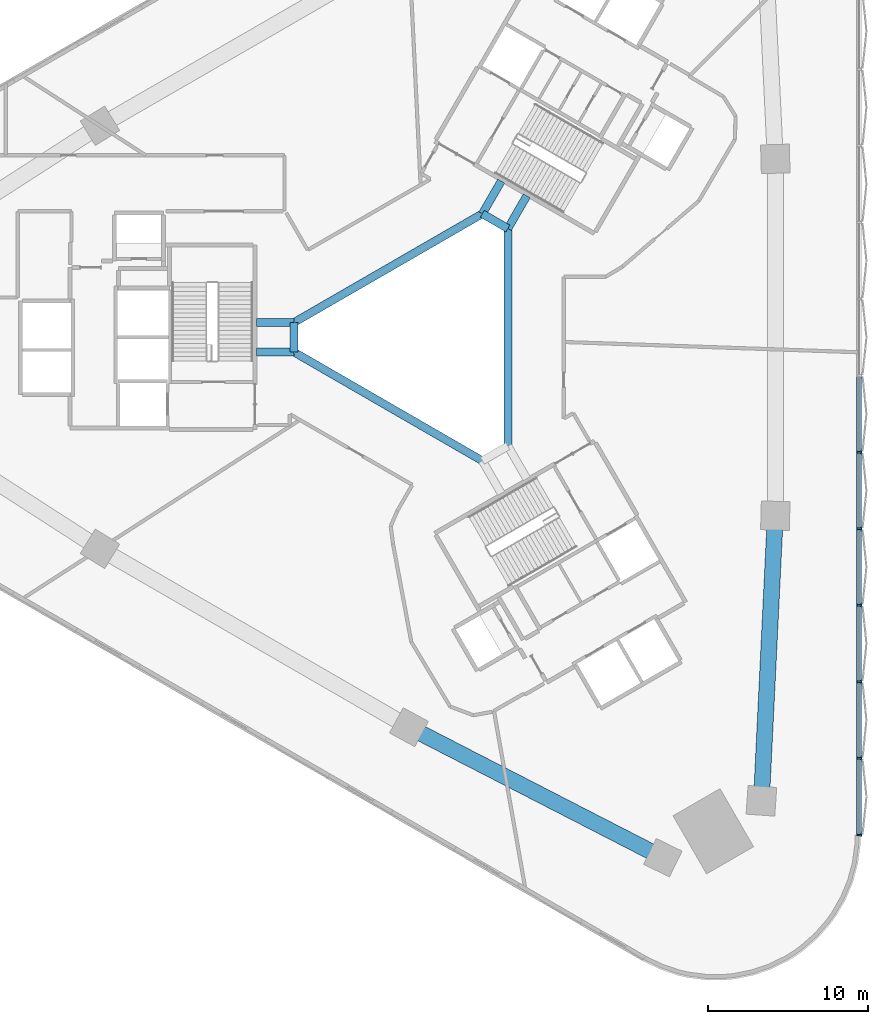
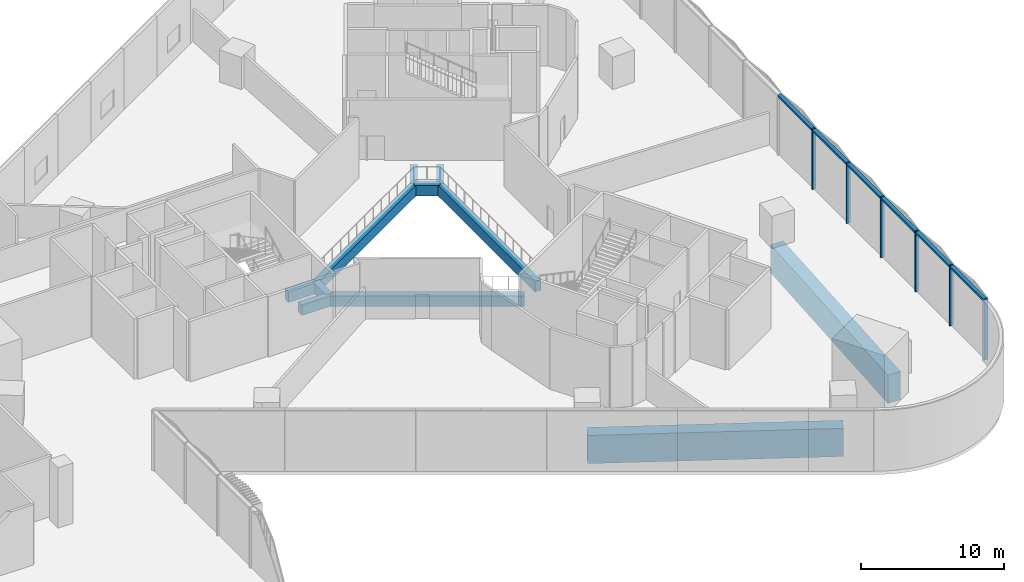
# One storey, part 6 of 31: 11 beams, 8 members, 1 element without a shape of its own.
"""IFC4 building model written with IfcOpenShell, lengths in metres."""

from ifc_helpers import new_model, si_unit, direction, frame, origin, origin_2d, place, context, subcontext, project, spatial, rectangle, extrude, material, material_profile, profile_set, type_object, element, aggregate, save


model = new_model("IFC4")

# Units and contexts
model_context = context("Model", 3, precision=1e-05, world=origin(), true_north=direction((0.0, 1.0)))
body_context = subcontext(model_context, "Body", "Model", "MODEL_VIEW")
ifc_project = project(units=[si_unit("LENGTHUNIT", "METRE"), si_unit("AREAUNIT", "SQUARE_METRE"), si_unit("VOLUMEUNIT", "CUBIC_METRE"), si_unit("PLANEANGLEUNIT", "RADIAN"), si_unit("MASSUNIT", "GRAM", prefix="KILO")], contexts=[model_context])

# Site, building, storey
site_placement = place(None, origin())
site = spatial("IfcSite", under=ifc_project, at=site_placement, CompositionType="ELEMENT")
building_placement = place(site_placement, origin())
building = spatial("IfcBuilding", under=site, at=building_placement, Name="Tamra Quay Hotel Tower", CompositionType="ELEMENT")
storey_placement = place(building_placement, frame((0.0, 0.0, 14.0)))
storey = spatial("IfcBuildingStorey", under=building, at=storey_placement, Name="L02", CompositionType="ELEMENT", Elevation=14.0)

# Beams
ifc_material_1 = material(Name="Concrete M60", Category="concrete")
ifc_material_profile_1 = material_profile(ifc_material_1, rectangle(XDim=0.5, YDim=0.89990234375, at=origin_2d()), Name="ATRIUM EDGE BEAM RC 500x900")
ifc_profile_set_1 = profile_set([ifc_material_profile_1], Name="Concrete M60")
beam_type_1 = type_object("IfcBeamType", Name="ATRIUM EDGE BEAM RC 500x900", PredefinedType="BEAM", material=ifc_profile_set_1)
beam_1_placement = place(storey_placement, frame((5.0, 6.812744140625, -0.800048828125), z_axis=(0.0, -1.0, 0.0), x_axis=(1.0, 0.0, 0.0)))
element("IfcBeam", 1, at=beam_1_placement, inside=storey, type_object=beam_type_1, Name="BM-AB0-L02", PredefinedType="BEAM", context=body_context, shape_type="SweptSolid", body=[
    extrude(rectangle(XDim=0.5, YDim=0.89990234375, at=origin_2d()), origin(), (0.0, 0.0, 1.0), 13.62548828125),
])
beam_2_placement = place(storey_placement, frame((3.39990234375, -7.736572265625, -0.800048828125), z_axis=(-0.866021471679, 0.500006810544, 0.0), x_axis=(-0.500006810544, -0.866021471679, 0.0)))
element("IfcBeam", 2, at=beam_2_placement, inside=storey, type_object=beam_type_1, Name="BM-AB2-L02", PredefinedType="BEAM", context=body_context, shape_type="SweptSolid", body=[
    extrude(rectangle(XDim=0.5, YDim=0.89990234375, at=origin_2d()), origin(), (0.0, 0.0, 1.0), 13.625244140625),
])
beam_3_placement = place(storey_placement, frame((-8.39990234375, -0.923828125, -0.800048828125), z_axis=(0.0, 1.0, 0.0), x_axis=(-1.0, 0.0, 0.0)))
element("IfcBeam", 3, at=beam_3_placement, inside=storey, type_object=beam_type_1, Name="BM-AB3-L02", PredefinedType="BEAM", context=body_context, shape_type="SweptSolid", body=[
    extrude(rectangle(XDim=0.5, YDim=0.89990234375, at=origin_2d()), origin(), (0.0, 0.0, 1.0), 1.84765625),
])
beam_4_placement = place(storey_placement, frame((-8.39990234375, 0.923828125, -0.800048828125), z_axis=(0.866021471679, 0.500006810544, 0.0), x_axis=(-0.500006810544, 0.866021471679, 0.0)))
element("IfcBeam", 4, at=beam_4_placement, inside=storey, type_object=beam_type_1, Name="BM-AB4-L02", PredefinedType="BEAM", context=body_context, shape_type="SweptSolid", body=[
    extrude(rectangle(XDim=0.5, YDim=0.89990234375, at=origin_2d()), origin(), (0.0, 0.0, 1.0), 13.625244140625),
])
beam_5_placement = place(storey_placement, frame((3.39990234375, 7.736572265625, -0.800048828125), z_axis=(0.86602275259, -0.500004591975, 0.0), x_axis=(0.500004591975, 0.86602275259, 0.0)))
element("IfcBeam", 5, at=beam_5_placement, inside=storey, type_object=beam_type_1, Name="BM-AB5-L02", PredefinedType="BEAM", context=body_context, shape_type="SweptSolid", body=[
    extrude(rectangle(XDim=0.5, YDim=0.89990234375, at=origin_2d()), origin(), (0.0, 0.0, 1.0), 1.84765625),
])
ifc_material_profile_2 = material_profile(ifc_material_1, rectangle(XDim=0.5, YDim=0.89990234375, at=origin_2d()), Name="ATRIUM TIE BEAM RC 500x900")
ifc_profile_set_2 = profile_set([ifc_material_profile_2], Name="Concrete M60")
beam_type_2 = type_object("IfcBeamType", Name="ATRIUM TIE BEAM RC 500x900", PredefinedType="BEAM", material=ifc_profile_set_2)
beam_6_placement = place(storey_placement, frame((5.0, 6.812744140625, -0.800048828125), z_axis=(0.500029618126, 0.866008303076, 0.0), x_axis=(-0.866008303076, 0.500029618126, 0.0)))
element("IfcBeam", 6, at=beam_6_placement, inside=storey, type_object=beam_type_2, Name="BM-TIE-0-L02", PredefinedType="BEAM", context=body_context, shape_type="SweptSolid", body=[
    extrude(rectangle(XDim=0.5, YDim=0.89990234375, at=origin_2d()), origin(), (0.0, 0.0, 1.0), 2.362060546875),
])
for number, where, z_axis, x_axis, name in (
    (7, (-8.39990234375, -0.923828125, -0.800048828125), (-1.0, 0.0, 0.0), (0.0, -1.0, 0.0), "BM-TIE-3-L02"),
    (8, (-8.39990234375, 0.923828125, -0.800048828125), (-1.0, 0.0, 0.0), (0.0, -1.0, 0.0), "BM-TIE-4-L02"),
):
    element("IfcBeam", number, at=place(storey_placement, frame(where, z_axis=z_axis, x_axis=x_axis)), inside=storey, type_object=beam_type_2, Name=name, PredefinedType="BEAM", context=body_context, shape_type="SweptSolid", body=[
        extrude(rectangle(XDim=0.5, YDim=0.89990234375, at=origin_2d()), origin(), (0.0, 0.0, 1.0), 2.3623046875),
    ])
beam_7_placement = place(storey_placement, frame((3.39990234375, 7.736572265625, -0.800048828125), z_axis=(0.500029618126, 0.866008303076, 0.0), x_axis=(-0.866008303076, 0.500029618126, 0.0)))
element("IfcBeam", 9, at=beam_7_placement, inside=storey, type_object=beam_type_2, Name="BM-TIE-5-L02", PredefinedType="BEAM", context=body_context, shape_type="SweptSolid", body=[
    extrude(rectangle(XDim=0.5, YDim=0.89990234375, at=origin_2d()), origin(), (0.0, 0.0, 1.0), 2.362060546875),
])

# Curtain wall, members
ifc_material_2 = material(Name="Aluminium 6063 anodised dark grey", Category="aluminium")
curtain_wall_type = type_object("IfcCurtainWallType", Name="CW4 CURTAIN WALL", PredefinedType="NOTDEFINED", material=ifc_material_2)
curtain_wall_placement = place(storey_placement, origin())
curtain_wall = element("IfcCurtainWall", 10, at=curtain_wall_placement, inside=storey, type_object=curtain_wall_type, Name="CW4 east face L02", PredefinedType="NOTDEFINED")
ifc_material_profile_3 = material_profile(ifc_material_2, rectangle(XDim=0.300048828125, YDim=0.1201171875, at=origin_2d()), Name="MULLION 120X300")
ifc_profile_set_3 = profile_set([ifc_material_profile_3], Name="Aluminium 6063 anodised dark grey")
member_type_1 = type_object("IfcMemberType", Name="MULLION CW4", PredefinedType="MULLION", material=ifc_profile_set_3)
member_1_placement = place(storey_placement, frame((27.0, -31.177001953125, 0.0), z_axis=(0.0, 0.0, 1.0), x_axis=(0.99986613791, -0.016361731626, 0.0)))
member_1 = element("IfcMember", 11, at=member_1_placement, type_object=member_type_1, Name="CW4 mullion L02.E.5", PredefinedType="MULLION", context=body_context, shape_type="SweptSolid", body=[
    extrude(rectangle(XDim=0.300048828125, YDim=0.1201171875, at=origin_2d()), origin(), (0.0, 0.0, 1.0), 5.14990234375),
])
member_2_placement = place(storey_placement, frame((27.0, -26.38037109375, 0.0), z_axis=(0.0, 0.0, 1.0), x_axis=(1.0, 0.0, 0.0)))
member_2 = element("IfcMember", 12, at=member_2_placement, type_object=member_type_1, Name="CW4 mullion L02.E.6", PredefinedType="MULLION", context=body_context, shape_type="SweptSolid", body=[
    extrude(rectangle(XDim=0.300048828125, YDim=0.1201171875, at=origin_2d()), origin(), (0.0, 0.0, 1.0), 5.14990234375),
])
member_3_placement = place(storey_placement, frame((27.0, -21.583984375, 0.0), z_axis=(0.0, 0.0, 1.0), x_axis=(1.0, 0.0, 0.0)))
member_3 = element("IfcMember", 13, at=member_3_placement, type_object=member_type_1, Name="CW4 mullion L02.E.7", PredefinedType="MULLION", context=body_context, shape_type="SweptSolid", body=[
    extrude(rectangle(XDim=0.300048828125, YDim=0.1201171875, at=origin_2d()), origin(), (0.0, 0.0, 1.0), 5.14990234375),
])
member_4_placement = place(storey_placement, frame((27.0, -16.78759765625, 0.0), z_axis=(0.0, 0.0, 1.0), x_axis=(1.0, 0.0, 0.0)))
member_4 = element("IfcMember", 14, at=member_4_placement, type_object=member_type_1, Name="CW4 mullion L02.E.8", PredefinedType="MULLION", context=body_context, shape_type="SweptSolid", body=[
    extrude(rectangle(XDim=0.300048828125, YDim=0.1201171875, at=origin_2d()), origin(), (0.0, 0.0, 1.0), 5.14990234375),
])
member_5_placement = place(storey_placement, frame((27.0, -11.9912109375, 0.0), z_axis=(0.0, 0.0, 1.0), x_axis=(1.0, 0.0, 0.0)))
member_5 = element("IfcMember", 15, at=member_5_placement, type_object=member_type_1, Name="CW4 mullion L02.E.9", PredefinedType="MULLION", context=body_context, shape_type="SweptSolid", body=[
    extrude(rectangle(XDim=0.300048828125, YDim=0.1201171875, at=origin_2d()), origin(), (0.0, 0.0, 1.0), 5.14990234375),
])
member_6_placement = place(storey_placement, frame((27.0, -7.194580078125, 0.0), z_axis=(0.0, 0.0, 1.0), x_axis=(1.0, 0.0, 0.0)))
member_6 = element("IfcMember", 16, at=member_6_placement, type_object=member_type_1, Name="CW4 mullion L02.E.10", PredefinedType="MULLION", context=body_context, shape_type="SweptSolid", body=[
    extrude(rectangle(XDim=0.300048828125, YDim=0.1201171875, at=origin_2d()), origin(), (0.0, 0.0, 1.0), 5.14990234375),
])

# Beams
ifc_material_profile_4 = material_profile(ifc_material_1, rectangle(XDim=1.0, YDim=2.39990234375, at=origin_2d()), Name="PODIUM RING GIRDER RC 1000x2400")
ifc_profile_set_4 = profile_set([ifc_material_profile_4], Name="Concrete M60")
beam_type_3 = type_object("IfcBeamType", Name="PODIUM RING GIRDER RC 1000x2400", PredefinedType="BEAM", material=ifc_profile_set_4)
beam_8_placement = place(storey_placement, frame((20.87890625, -29.033935546875, -1.550048828125), z_axis=(0.048662088022, 0.998815298836, 0.0), x_axis=(-0.998815298836, 0.048662088022, 0.0)))
element("IfcBeam", 17, at=beam_8_placement, inside=storey, type_object=beam_type_3, Name="BM-PG001-L02", PredefinedType="BEAM", context=body_context, shape_type="SweptSolid", body=[
    extrude(rectangle(XDim=1.0, YDim=2.39990234375, at=origin_2d()), origin(), (0.0, 0.0, 1.0), 17.880859375),
])
beam_9_placement = place(storey_placement, frame((-1.197265625, -24.422607421875, -1.550048828125), z_axis=(0.889334920836, -0.457256381673, 0.0), x_axis=(0.457256381673, 0.889334920836, 0.0)))
element("IfcBeam", 18, at=beam_9_placement, inside=storey, type_object=beam_type_3, Name="BM-PG009-L02", PredefinedType="BEAM", context=body_context, shape_type="SweptSolid", body=[
    extrude(rectangle(XDim=1.0, YDim=2.39990234375, at=origin_2d()), origin(), (0.0, 0.0, 1.0), 17.880615234375),
])

# Member
ifc_material_profile_5 = material_profile(ifc_material_2, rectangle(XDim=0.300048828125, YDim=0.179931640625, at=origin_2d()), Name="TRANSOM 300X180")
ifc_profile_set_5 = profile_set([ifc_material_profile_5], Name="Aluminium 6063 anodised dark grey")
member_type_2 = type_object("IfcMemberType", Name="TRANSOM CW4", PredefinedType="USERDEFINED", material=ifc_profile_set_5)
member_7_placement = place(storey_placement, frame((27.0, -31.116943359375, 5.06005859375), z_axis=(0.0, 1.0, 0.0), x_axis=(-1.0, 0.0, 0.0)))
member_7 = element("IfcMember", 19, at=member_7_placement, type_object=member_type_2, Name="CW4 transom L02.E.5", ObjectType="TRANSOM", PredefinedType="USERDEFINED", context=body_context, shape_type="SweptSolid", body=[
    extrude(rectangle(XDim=0.300048828125, YDim=0.179931640625, at=origin_2d()), origin(), (0.0, 0.0, 1.0), 14.269287109375),
])

member_8_placement = place(storey_placement, frame((27.0, -16.7275390625, 5.06005859375), z_axis=(0.0, 1.0, 0.0), x_axis=(-1.0, 0.0, 0.0)))
member_8 = element("IfcMember", 20, at=member_8_placement, type_object=member_type_2, Name="CW4 transom L02.E.8", ObjectType="TRANSOM", PredefinedType="USERDEFINED", context=body_context, shape_type="SweptSolid", body=[
    extrude(rectangle(XDim=0.300048828125, YDim=0.179931640625, at=origin_2d()), origin(), (0.0, 0.0, 1.0), 14.269287109375),
])

aggregate(curtain_wall, [member_1, member_7, member_2, member_3, member_4, member_8, member_5, member_6])

save(model, "model.ifc")
